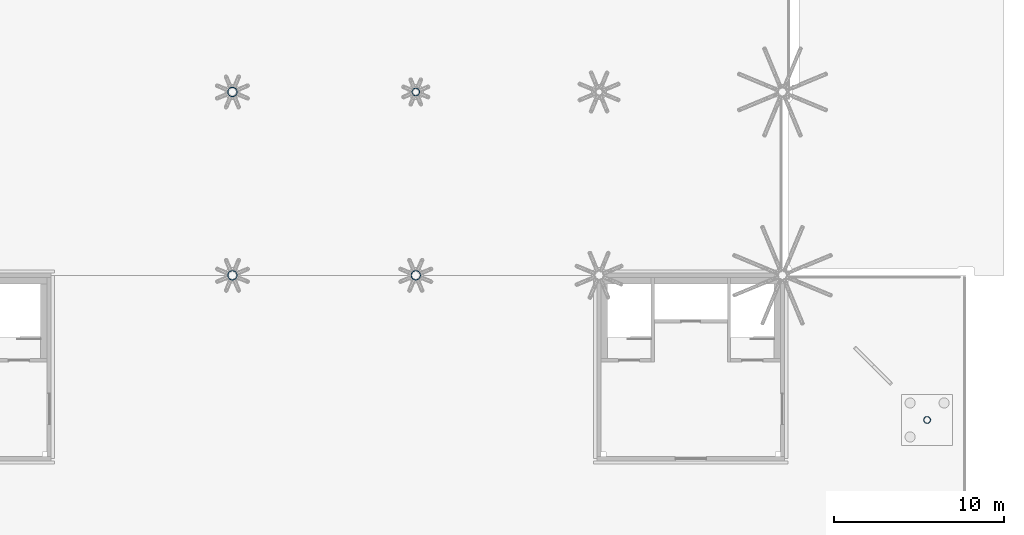
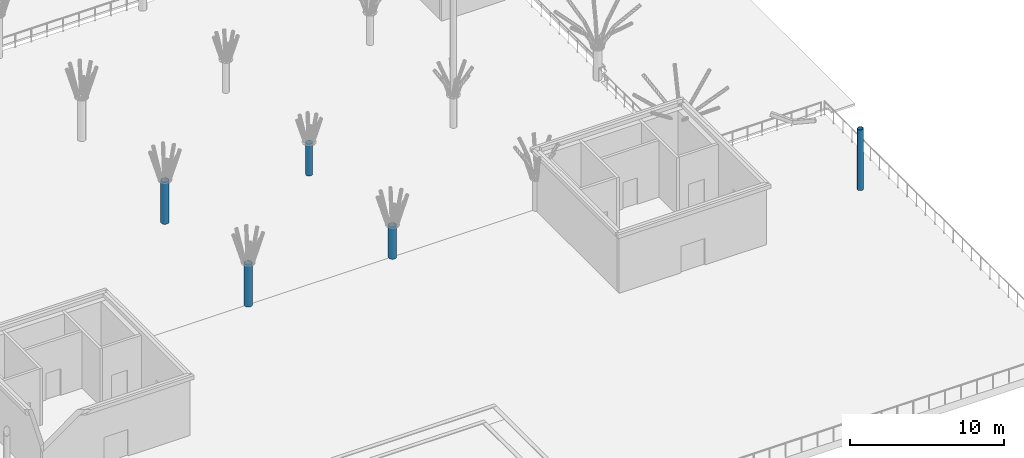
# One storey, part 9 of 91: 5 columns.
"""IFC4 building model written with IfcOpenShell, lengths in metres."""

from ifc_helpers import new_model, si_unit, direction, frame, origin, origin_2d, place, context, subcontext, project, spatial, hollow_circle, extrude, material, material_profile, profile_set, type_object, element, save


model = new_model("IFC4")

# Units and contexts
model_context = context("Model", 3, precision=1e-05, world=origin(), true_north=direction((0.0, 1.0)))
body_context = subcontext(model_context, "Body", "Model", "MODEL_VIEW")
ifc_project = project(units=[si_unit("LENGTHUNIT", "METRE"), si_unit("AREAUNIT", "SQUARE_METRE"), si_unit("VOLUMEUNIT", "CUBIC_METRE"), si_unit("PLANEANGLEUNIT", "RADIAN"), si_unit("MASSUNIT", "GRAM", prefix="KILO")], contexts=[model_context])

# Site, building, storey
site_placement = place(None, origin())
site = spatial("IfcSite", under=ifc_project, at=site_placement, CompositionType="ELEMENT")
building_placement = place(site_placement, origin())
building = spatial("IfcBuilding", under=site, at=building_placement, Name="Magnolia Steps Interchange", CompositionType="ELEMENT")
storey_placement = place(building_placement, origin())
storey = spatial("IfcBuildingStorey", under=building, at=storey_placement, Name="L00", CompositionType="ELEMENT", Elevation=0.0)

# Columns
ifc_material_1 = material(Name="Steel Q355B", Category="steel")
ifc_material_profile_1 = material_profile(ifc_material_1, hollow_circle(Radius=0.228515625, WallThickness=0.01611328125, at=origin_2d()), Name="CHS457x16")
ifc_profile_set_1 = profile_set([ifc_material_profile_1], Name="Steel Q355B")
column_type_1 = type_object("IfcColumnType", Name="Tree trunk CHS457x16", PredefinedType="COLUMN", material=ifc_profile_set_1)
column_1_placement = place(storey_placement, frame((161.199951171875, 53.199951171875, 0.0), z_axis=(0.0, 0.0, 1.0), x_axis=(1.0, 0.0, 0.0)))
element("IfcColumn", 1, at=column_1_placement, inside=storey, type_object=column_type_1, Name="Tree trunk TC02B", PredefinedType="COLUMN", context=body_context, shape_type="SweptSolid", body=[
    extrude(hollow_circle(Radius=0.228515625, WallThickness=0.01611328125, at=origin_2d()), origin(), (0.0, 0.0, 1.0), 2.53369140625),
])
ifc_material_2 = material(Name="Steel Q355B", Category="steel")
ifc_material_profile_2 = material_profile(ifc_material_2, hollow_circle(Radius=0.279541015625, WallThickness=0.02001953125, at=origin_2d()), Name="CHS559x20")
ifc_profile_set_2 = profile_set([ifc_material_profile_2], Name="Steel Q355B")
column_type_2 = type_object("IfcColumnType", Name="Tree trunk CHS559x20", PredefinedType="COLUMN", material=ifc_profile_set_2)
for number, where, z_axis, x_axis, name in (
    (2, (150.39990234375, 42.39990234375, 0.0), (0.0, 0.0, 1.0), (1.0, 0.0, 0.0), "Tree trunk TC01A"),
    (3, (150.39990234375, 53.199951171875, 0.0), (0.0, 0.0, 1.0), (1.0, 0.0, 0.0), "Tree trunk TC01B"),
):
    element("IfcColumn", number, at=place(storey_placement, frame(where, z_axis=z_axis, x_axis=x_axis)), inside=storey, type_object=column_type_2, Name=name, PredefinedType="COLUMN", context=body_context, shape_type="SweptSolid", body=[
        extrude(hollow_circle(Radius=0.279541015625, WallThickness=0.02001953125, at=origin_2d()), origin(), (0.0, 0.0, 1.0), 3.3212890625),
    ])
column_2_placement = place(storey_placement, frame((161.199951171875, 42.39990234375, 0.0), z_axis=(0.0, 0.0, 1.0), x_axis=(1.0, 0.0, 0.0)))
element("IfcColumn", 4, at=column_2_placement, inside=storey, type_object=column_type_2, Name="Tree trunk TC02A", PredefinedType="COLUMN", context=body_context, shape_type="SweptSolid", body=[
    extrude(hollow_circle(Radius=0.279541015625, WallThickness=0.02001953125, at=origin_2d()), origin(), (0.0, 0.0, 1.0), 2.53369140625),
])
ifc_material_3 = material(Name="Steel Q355B", Category="steel")
ifc_material_profile_3 = material_profile(ifc_material_3, hollow_circle(Radius=0.202880859375, WallThickness=0.01611328125, at=origin_2d()), Name="CHS406x16")
ifc_profile_set_3 = profile_set([ifc_material_profile_3], Name="Steel Q355B")
column_type_3 = type_object("IfcColumnType", Name="Truss tip prop CHS406x16", PredefinedType="COLUMN", material=ifc_profile_set_3)
column_3_placement = place(storey_placement, frame((191.320556640625, 33.87939453125, 0.0), z_axis=(0.0, 0.0, 1.0), x_axis=(1.0, 0.0, 0.0)))
element("IfcColumn", 5, at=column_3_placement, inside=storey, type_object=column_type_3, Name="Tip prop SP-C-SE", PredefinedType="COLUMN", context=body_context, shape_type="SweptSolid", body=[
    extrude(hollow_circle(Radius=0.202880859375, WallThickness=0.01611328125, at=origin_2d()), origin(), (0.0, 0.0, 1.0), 4.800048828125),
])

save(model, "model.ifc")
